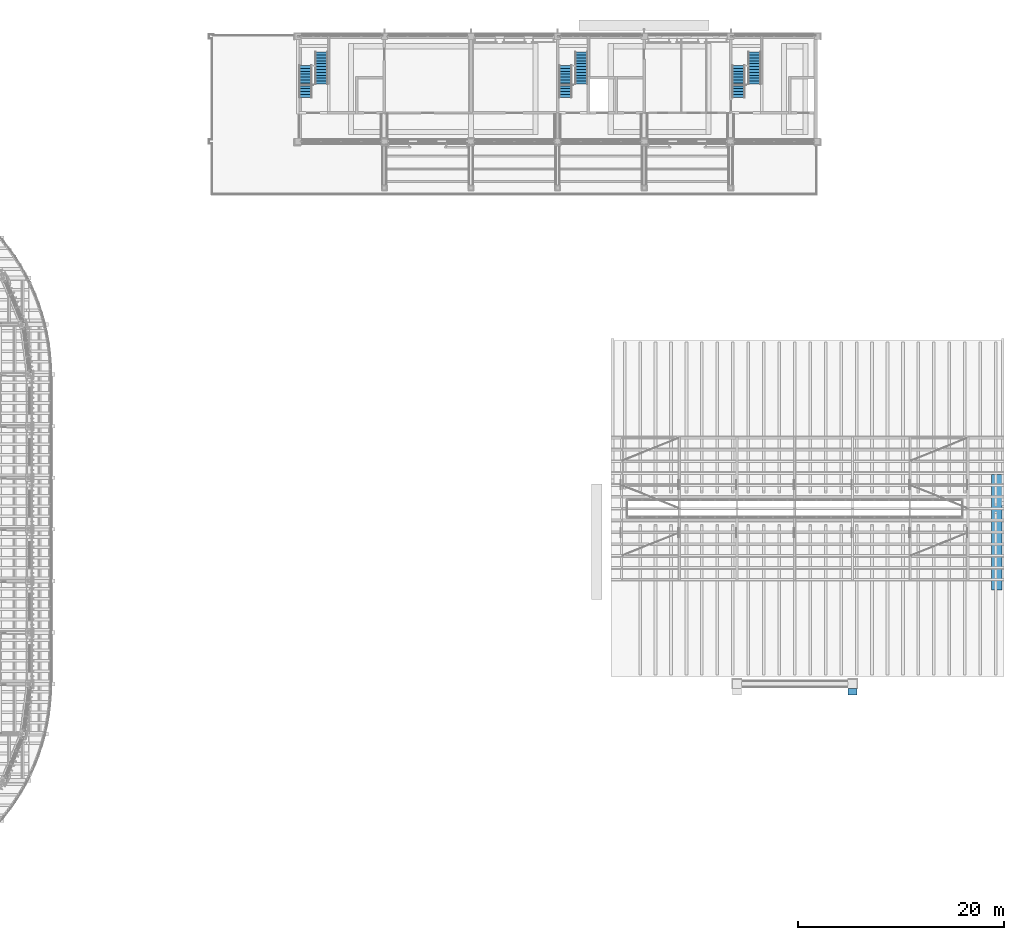
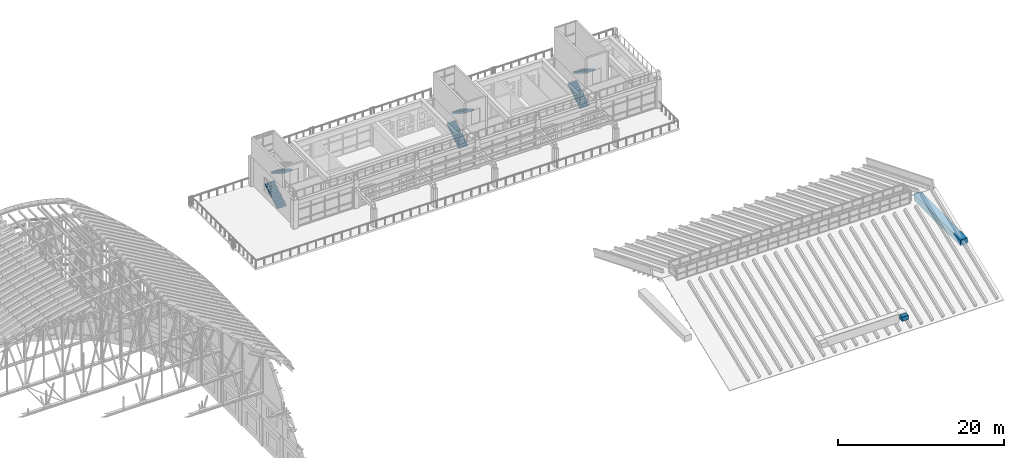
# One storey, part 60 of 105: 6 stair flights, 2 walls, 3 elements without a shape of their own.
"""IFC4 building model written with IfcOpenShell, lengths in metres."""

import ifcopenshell
import ifcopenshell.guid

model = None  # the IFC model being written
_history = None  # IfcOwnerHistory: only IFC2X3 demands one
_inside = {}  # id of a spatial element -> (the spatial element, [elements in it])
_under = {}  # id of a project, library or spatial element -> (it, [spatial elements below it])
_declared = {}  # id of a project -> (the project, [libraries it declares])
_typed = {}  # id of a type object -> (the type object, [elements of that type])
_made_of = {}  # id of a material, layer set ... -> (it, [elements and type objects made of it])


def new_model(schema):
    """Start an empty IFC model of exactly this schema.

    Asked for "IFC4X3", IfcOpenShell would pick the latest addendum, in which some entities
    have other attributes; the version numbers below select the first issue.
    IFC2X3 requires an IfcOwnerHistory on every rooted entity: one is made here for all.
    """
    global model, _history
    if schema == "IFC4X3":
        model = ifcopenshell.file(schema_version=(4, 3, 0, 0))
    else:
        model = ifcopenshell.file(schema=schema)
    _inside.clear()
    _under.clear()
    _declared.clear()
    _typed.clear()
    _made_of.clear()
    _history = None
    if model.schema == "IFC2X3":
        org = make("IfcOrganization", Name="unknown")
        user = make(
            "IfcPersonAndOrganization",
            ThePerson=make("IfcPerson", FamilyName="unknown"),
            TheOrganization=org,
        )
        app = make(
            "IfcApplication",
            ApplicationDeveloper=org,
            Version="unknown",
            ApplicationFullName="unknown",
            ApplicationIdentifier="unknown",
        )
        _history = make(
            "IfcOwnerHistory",
            OwningUser=user,
            OwningApplication=app,
            ChangeAction="ADDED",
            CreationDate=0,
        )
    return model


def make(cls, **values):
    """One entity of the class cls with the attributes given. An attribute that is None is left unset."""
    return model.create_entity(
        cls, **{name: value for name, value in values.items() if value is not None}
    )


def rooted(cls, **values):
    """An entity with a GlobalId (a new one), such as an element, a storey or a relation."""
    return make(cls, GlobalId=ifcopenshell.guid.new(), OwnerHistory=_history, **values)


def si_unit(unit_type, name, prefix=None):
    """IfcSIUnit, for example si_unit("LENGTHUNIT", "METRE", prefix="MILLI")."""
    return make("IfcSIUnit", UnitType=unit_type, Prefix=prefix, Name=name)


def assignment(units):
    """IfcUnitAssignment: the units of a project."""
    return None if units is None else make("IfcUnitAssignment", Units=units)


def point(xyz):
    """IfcCartesianPoint."""
    return None if xyz is None else make("IfcCartesianPoint", Coordinates=xyz)


def direction(xyz):
    """IfcDirection."""
    return None if xyz is None else make("IfcDirection", DirectionRatios=xyz)


def frame(location, z_axis=None, x_axis=None):
    """IfcAxis2Placement3D, a coordinate frame: its origin and axes. An axis left out is left unset."""
    return make(
        "IfcAxis2Placement3D",
        Location=point(location),
        Axis=direction(z_axis),
        RefDirection=direction(x_axis),
    )


def frame_2d(location, x_axis=None):
    """IfcAxis2Placement2D, a coordinate frame in the plane: its origin and x axis."""
    return make(
        "IfcAxis2Placement2D", Location=point(location), RefDirection=direction(x_axis)
    )


def origin():
    """The frame at (0, 0, 0) with its axes left unset."""
    return frame((0.0, 0.0, 0.0))


def place(relative_to, where):
    """IfcLocalPlacement: puts the frame where relative to a parent placement (None: the world)."""
    return make(
        "IfcLocalPlacement", PlacementRelTo=relative_to, RelativePlacement=where
    )


def context(
    kind, dimensions, precision=None, world=None, true_north=None, identifier=None
):
    """IfcGeometricRepresentationContext, for example the 3D "Model" context."""
    return make(
        "IfcGeometricRepresentationContext",
        ContextIdentifier=identifier,
        ContextType=kind,
        CoordinateSpaceDimension=dimensions,
        Precision=precision,
        WorldCoordinateSystem=world,
        TrueNorth=true_north,
    )


def subcontext(parent, identifier, kind, view, scale=None):
    """IfcGeometricRepresentationSubContext, for example "Body" below "Model"."""
    return make(
        "IfcGeometricRepresentationSubContext",
        ContextIdentifier=identifier,
        ContextType=kind,
        ParentContext=parent,
        TargetScale=scale,
        TargetView=view,
    )


def project(units=None, contexts=None):
    """IfcProject with its units and contexts."""
    return rooted(
        "IfcProject",
        Name="project",
        RepresentationContexts=contexts,
        UnitsInContext=assignment(units),
    )


def spatial(cls, under=None, at=None, **own):
    """A site, building, storey or space (cls), placed at a placement, below another one or the project."""
    s = rooted(cls, ObjectPlacement=at, **own)
    if under is not None:
        _under.setdefault(under.id(), (under, []))[1].append(s)
    return s


def polyline(points):
    """IfcPolyline through the points."""
    return make("IfcPolyline", Points=[point(p) for p in points])


def profile(cls, at=None, kind="AREA", **sizes):
    """A parametric profile (cls). Its sizes go by their IFC names, for example OverallWidth=200.0."""
    return make(cls, ProfileType=kind, Position=at, **sizes)


def rectangle(**sizes):
    """IfcRectangleProfileDef."""
    return profile("IfcRectangleProfileDef", **sizes)


def outline(outer, holes=None, kind="AREA"):
    """IfcArbitraryClosedProfileDef: a profile drawn as a closed curve; with holes, ...WithVoids."""
    if holes is None:
        return make("IfcArbitraryClosedProfileDef", ProfileType=kind, OuterCurve=outer)
    return make(
        "IfcArbitraryProfileDefWithVoids",
        ProfileType=kind,
        OuterCurve=outer,
        InnerCurves=holes,
    )


def extrude(swept, where, along, depth):
    """IfcExtrudedAreaSolid: the profile swept, set in the frame where, extruded along a direction by depth."""
    return make(
        "IfcExtrudedAreaSolid",
        SweptArea=swept,
        Position=where,
        ExtrudedDirection=direction(along),
        Depth=depth,
    )


def shape(context_of_items, identifier, shape_type, items):
    """IfcShapeRepresentation: the items that make up one representation, for example the "Body"."""
    return make(
        "IfcShapeRepresentation",
        ContextOfItems=context_of_items,
        RepresentationIdentifier=identifier,
        RepresentationType=shape_type,
        Items=items,
    )


def material(Name=None, Category=None):
    """IfcMaterial."""
    return make("IfcMaterial", Name=Name, Category=Category)


def layer(
    of_material, thickness, ventilated=None, Name=None, Category=None, Priority=None
):
    """IfcMaterialLayer: one layer of a wall or slab, of a material (None: an air gap)."""
    return make(
        "IfcMaterialLayer",
        Material=of_material,
        LayerThickness=thickness,
        IsVentilated=ventilated,
        Name=Name,
        Category=Category,
        Priority=Priority,
    )


def layer_set(layers, Name=None):
    """IfcMaterialLayerSet."""
    return make("IfcMaterialLayerSet", MaterialLayers=layers, LayerSetName=Name)


def made_of(thing, what):
    """Note that an element or type object is made of a material, layer set ...; save() writes the relation."""
    if what is not None:
        _made_of.setdefault(what.id(), (what, []))[1].append(thing)
    return thing


def type_object(cls, material=None, **own):
    """A type object (cls), such as IfcWallType, which elements share."""
    return made_of(rooted(cls, **own), material)


def element(
    cls,
    number,
    at=None,
    inside=None,
    cuts=None,
    type_object=None,
    material=None,
    context=None,
    identifier="Body",
    shape_type=None,
    held_by="IfcProductDefinitionShape",
    body=None,
    shapes=None,
    **own,
):
    """One element of the class cls, such as IfcWall. Its Tag is "e" and its number.

    at: its placement. inside: the storey or other place that contains it. cuts: it is an
    opening in that element (IfcRelVoidsElement). A single representation is given by context,
    identifier, shape_type and body (its items); several are given by shapes. held_by: the class
    of the entity that holds the representations. save() writes the other relations.
    """
    e = rooted(cls, Tag="e%d" % number, ObjectPlacement=at, **own)
    if body is not None:
        shapes = [shape(context, identifier, shape_type, body)]
    if shapes is not None:
        e.Representation = make(held_by, Representations=shapes)
    if inside is not None:
        _inside.setdefault(inside.id(), (inside, []))[1].append(e)
    if cuts is not None:
        rooted(
            "IfcRelVoidsElement", RelatingBuildingElement=cuts, RelatedOpeningElement=e
        )
    if type_object is not None:
        _typed.setdefault(type_object.id(), (type_object, []))[1].append(e)
    return made_of(e, material)


def aggregate(whole, parts):
    """IfcRelAggregates: a whole, such as a stair, and the parts it consists of."""
    return rooted("IfcRelAggregates", RelatingObject=whole, RelatedObjects=parts)


def save(model, path):
    """Write the relations noted so far, then the file.

    IfcRelAggregates (storeys below a building ...), IfcRelContainedInSpatialStructure (elements
    in a storey), IfcRelDefinesByType, IfcRelAssociatesMaterial and IfcRelDeclares: one each for
    every whole, place, type object, material and project.
    """
    for whole, parts in _under.values():
        aggregate(whole, parts)
    for where, things in _inside.values():
        rooted(
            "IfcRelContainedInSpatialStructure",
            RelatedElements=things,
            RelatingStructure=where,
        )
    for kind, things in _typed.values():
        rooted("IfcRelDefinesByType", RelatedObjects=things, RelatingType=kind)
    for what, things in _made_of.values():
        rooted("IfcRelAssociatesMaterial", RelatedObjects=things, RelatingMaterial=what)
    for by, libraries in _declared.values():
        rooted("IfcRelDeclares", RelatingContext=by, RelatedDefinitions=libraries)
    model.write(path)


model = new_model("IFC4")

# Units and contexts
model_context = context("Model", 3, precision=1e-05, world=origin(), true_north=direction((0.0, 1.0)))
body_context = subcontext(model_context, "Body", "Model", "MODEL_VIEW")
ifc_project = project(units=[si_unit("LENGTHUNIT", "METRE"), si_unit("AREAUNIT", "SQUARE_METRE"), si_unit("VOLUMEUNIT", "CUBIC_METRE"), si_unit("PLANEANGLEUNIT", "RADIAN"), si_unit("MASSUNIT", "GRAM", prefix="KILO")], contexts=[model_context])

# Site, building, storey
site_placement = place(None, origin())
site = spatial("IfcSite", under=ifc_project, at=site_placement, CompositionType="ELEMENT")
building_placement = place(site_placement, origin())
building = spatial("IfcBuilding", under=site, at=building_placement, Name="Wasatch Bagh Community Centre", CompositionType="ELEMENT")
storey_placement = place(building_placement, frame((0.0, 0.0, 16.800048828125)))
storey = spatial("IfcBuildingStorey", under=building, at=storey_placement, Name="L04", CompositionType="ELEMENT", Elevation=16.800048828125)

# Walls
ifc_material_1 = material(Name="Concrete C40", Category="concrete")
ifc_layer_1 = layer(ifc_material_1, 0.60009765625)
ifc_layer_set_1 = layer_set([ifc_layer_1], Name="Concrete C40")
wall_type_1 = type_object("IfcWallType", Name="CL-W4", PredefinedType="STANDARD", material=ifc_layer_set_1)
wall_1_placement = place(storey_placement, frame((134.14990234375, 34.25, 0.0), z_axis=(0.0, 0.0, 1.0), x_axis=(1.0, 0.0, 0.0)))
element("IfcWall", 1, at=wall_1_placement, inside=storey, type_object=wall_type_1, Name="CL-W4 pier buttress SHP2", PredefinedType="STANDARD", context=body_context, shape_type="SweptSolid", body=[
    extrude(rectangle(XDim=0.900146484375, YDim=0.60009765625, at=frame_2d((0.4501953125, 0.0))), origin(), (0.0, 0.0, 1.0), 0.599853515625),
])
ifc_layer_2 = layer(ifc_material_1, 1.0)
ifc_layer_set_2 = layer_set([ifc_layer_2], Name="Concrete C40")
wall_type_2 = type_object("IfcWallType", Name="SHEQ-W4", PredefinedType="STANDARD", material=ifc_layer_set_2)
wall_2_placement = place(storey_placement, frame((148.60009765625, 55.300048828125, 0.0), z_axis=(0.0, 0.0, 1.0), x_axis=(0.0, -1.0, 0.0)))
element("IfcWall", 2, at=wall_2_placement, inside=storey, type_object=wall_type_2, Name="SHEQ-W4 iwan cornice band", PredefinedType="STANDARD", context=body_context, shape_type="SweptSolid", body=[
    extrude(rectangle(XDim=11.199951171875, YDim=1.0, at=frame_2d((5.60009765625, 0.0))), origin(), (0.0, 0.0, 1.0), 0.89990234375),
])

# Stair, stair flights
ifc_material_2 = material(Name="Concrete C35", Category="concrete")
stair_type = type_object("IfcStairType", Name="LW core stair", PredefinedType="HALF_TURN_STAIR", material=ifc_material_2)
stair_1_placement = place(storey_placement, origin())
stair_1 = element("IfcStair", 3, at=stair_1_placement, inside=storey, type_object=stair_type, Name="Stair Stair and Lift C1", PredefinedType="HALF_TURN_STAIR")
stair_flight_type = type_object("IfcStairFlightType", Name="LW stair flight 1260", PredefinedType="STRAIGHT", material=ifc_material_2)
stair_flight_1_placement = place(storey_placement, frame((81.554931640625, 91.89990234375, 0.0), z_axis=(0.0, 0.0, 1.0), x_axis=(0.0, 1.0, 0.0)))
stair_flight_1 = element("IfcStairFlight", 4, at=stair_flight_1_placement, type_object=stair_flight_type, Name="ST-C1-4 flight 1", NumberOfRisers=12, NumberOfTreads=11, PredefinedType="STRAIGHT", RiserHeight=0.175, TreadLength=0.28, context=body_context, shape_type="SweptSolid", body=[
    extrude(outline(polyline([(0.0, 0.0), (0.0, 0.175048828125), (0.280029296875, 0.175048828125), (0.280029296875, 0.35009765625), (0.56005859375, 0.35009765625), (0.56005859375, 0.52490234375), (0.840087890625, 0.52490234375), (0.840087890625, 0.699951171875), (1.1201171875, 0.699951171875), (1.1201171875, 0.875), (1.39990234375, 0.875), (1.39990234375, 1.050048828125), (1.679931640625, 1.050048828125), (1.679931640625, 1.22509765625), (1.9599609375, 1.22509765625), (1.9599609375, 1.39990234375), (2.239990234375, 1.39990234375), (2.239990234375, 1.574951171875), (2.52001953125, 1.574951171875), (2.52001953125, 1.75), (2.800048828125, 1.75), (2.800048828125, 1.925048828125), (3.080078125, 1.925048828125), (3.080078125, 2.10009765625), (3.080078125, 1.748291015625), (0.28271484375, 0.0), (0.0, 0.0)])), frame((0.0, 0.6298828125, 0.0), z_axis=(0.0, -1.0, 0.0), x_axis=(1.0, 0.0, 0.0)), (0.0, 0.0, 1.0), 1.260009765625),
])
stair_flight_2_placement = place(storey_placement, frame((83.094970703125, 96.280029296875, 2.099853515625), z_axis=(0.0, 0.0, 1.0), x_axis=(0.0, -1.0, 0.0)))
stair_flight_2 = element("IfcStairFlight", 5, at=stair_flight_2_placement, type_object=stair_flight_type, Name="ST-C1-4 flight 2", NumberOfRisers=12, NumberOfTreads=11, PredefinedType="STRAIGHT", RiserHeight=0.175, TreadLength=0.28, context=body_context, shape_type="SweptSolid", body=[
    extrude(outline(polyline([(0.0, 0.0), (0.0, 0.175048828125), (0.280029296875, 0.175048828125), (0.280029296875, 0.35009765625), (0.56005859375, 0.35009765625), (0.56005859375, 0.52490234375), (0.840087890625, 0.52490234375), (0.840087890625, 0.699951171875), (1.1201171875, 0.699951171875), (1.1201171875, 0.875), (1.39990234375, 0.875), (1.39990234375, 1.050048828125), (1.679931640625, 1.050048828125), (1.679931640625, 1.22509765625), (1.9599609375, 1.22509765625), (1.9599609375, 1.39990234375), (2.239990234375, 1.39990234375), (2.239990234375, 1.574951171875), (2.52001953125, 1.574951171875), (2.52001953125, 1.75), (2.800048828125, 1.75), (2.800048828125, 1.925048828125), (3.080078125, 1.925048828125), (3.080078125, 2.10009765625), (3.080078125, 1.748291015625), (0.28271484375, 0.0), (0.0, 0.0)])), frame((0.0, 0.6298828125, 0.0), z_axis=(0.0, -1.0, 0.0), x_axis=(1.0, 0.0, 0.0)), (0.0, 0.0, 1.0), 1.260009765625),
])
aggregate(stair_1, [stair_flight_1, stair_flight_2])

stair_2_placement = place(storey_placement, origin())
stair_2 = element("IfcStair", 6, at=stair_2_placement, inside=storey, type_object=stair_type, Name="Stair Stair and Lift C2", PredefinedType="HALF_TURN_STAIR")
stair_flight_3_placement = place(storey_placement, frame((106.7548828125, 91.89990234375, 0.0), z_axis=(0.0, 0.0, 1.0), x_axis=(0.0, 1.0, 0.0)))
stair_flight_3 = element("IfcStairFlight", 7, at=stair_flight_3_placement, type_object=stair_flight_type, Name="ST-C2-4 flight 1", NumberOfRisers=12, NumberOfTreads=11, PredefinedType="STRAIGHT", RiserHeight=0.175, TreadLength=0.28, context=body_context, shape_type="SweptSolid", body=[
    extrude(outline(polyline([(0.0, 0.0), (0.0, 0.175048828125), (0.280029296875, 0.175048828125), (0.280029296875, 0.35009765625), (0.56005859375, 0.35009765625), (0.56005859375, 0.52490234375), (0.840087890625, 0.52490234375), (0.840087890625, 0.699951171875), (1.1201171875, 0.699951171875), (1.1201171875, 0.875), (1.39990234375, 0.875), (1.39990234375, 1.050048828125), (1.679931640625, 1.050048828125), (1.679931640625, 1.22509765625), (1.9599609375, 1.22509765625), (1.9599609375, 1.39990234375), (2.239990234375, 1.39990234375), (2.239990234375, 1.574951171875), (2.52001953125, 1.574951171875), (2.52001953125, 1.75), (2.800048828125, 1.75), (2.800048828125, 1.925048828125), (3.080078125, 1.925048828125), (3.080078125, 2.10009765625), (3.080078125, 1.748291015625), (0.28271484375, 0.0), (0.0, 0.0)])), frame((0.0, 0.6298828125, 0.0), z_axis=(0.0, -1.0, 0.0), x_axis=(1.0, 0.0, 0.0)), (0.0, 0.0, 1.0), 1.260009765625),
])
stair_flight_4_placement = place(storey_placement, frame((108.294921875, 96.280029296875, 2.099853515625), z_axis=(0.0, 0.0, 1.0), x_axis=(0.0, -1.0, 0.0)))
stair_flight_4 = element("IfcStairFlight", 8, at=stair_flight_4_placement, type_object=stair_flight_type, Name="ST-C2-4 flight 2", NumberOfRisers=12, NumberOfTreads=11, PredefinedType="STRAIGHT", RiserHeight=0.175, TreadLength=0.28, context=body_context, shape_type="SweptSolid", body=[
    extrude(outline(polyline([(0.0, 0.0), (0.0, 0.175048828125), (0.280029296875, 0.175048828125), (0.280029296875, 0.35009765625), (0.56005859375, 0.35009765625), (0.56005859375, 0.52490234375), (0.840087890625, 0.52490234375), (0.840087890625, 0.699951171875), (1.1201171875, 0.699951171875), (1.1201171875, 0.875), (1.39990234375, 0.875), (1.39990234375, 1.050048828125), (1.679931640625, 1.050048828125), (1.679931640625, 1.22509765625), (1.9599609375, 1.22509765625), (1.9599609375, 1.39990234375), (2.239990234375, 1.39990234375), (2.239990234375, 1.574951171875), (2.52001953125, 1.574951171875), (2.52001953125, 1.75), (2.800048828125, 1.75), (2.800048828125, 1.925048828125), (3.080078125, 1.925048828125), (3.080078125, 2.10009765625), (3.080078125, 1.748291015625), (0.28271484375, 0.0), (0.0, 0.0)])), frame((0.0, 0.6298828125, 0.0), z_axis=(0.0, -1.0, 0.0), x_axis=(1.0, 0.0, 0.0)), (0.0, 0.0, 1.0), 1.260009765625),
])
aggregate(stair_2, [stair_flight_3, stair_flight_4])

stair_3_placement = place(storey_placement, origin())
stair_3 = element("IfcStair", 9, at=stair_3_placement, inside=storey, type_object=stair_type, Name="Stair Stair and Lift C3", PredefinedType="HALF_TURN_STAIR")
stair_flight_5_placement = place(storey_placement, frame((123.554931640625, 91.89990234375, 0.0), z_axis=(0.0, 0.0, 1.0), x_axis=(0.0, 1.0, 0.0)))
stair_flight_5 = element("IfcStairFlight", 10, at=stair_flight_5_placement, type_object=stair_flight_type, Name="ST-C3-4 flight 1", NumberOfRisers=12, NumberOfTreads=11, PredefinedType="STRAIGHT", RiserHeight=0.175, TreadLength=0.28, context=body_context, shape_type="SweptSolid", body=[
    extrude(outline(polyline([(0.0, 0.0), (0.0, 0.175048828125), (0.280029296875, 0.175048828125), (0.280029296875, 0.35009765625), (0.56005859375, 0.35009765625), (0.56005859375, 0.52490234375), (0.840087890625, 0.52490234375), (0.840087890625, 0.699951171875), (1.1201171875, 0.699951171875), (1.1201171875, 0.875), (1.39990234375, 0.875), (1.39990234375, 1.050048828125), (1.679931640625, 1.050048828125), (1.679931640625, 1.22509765625), (1.9599609375, 1.22509765625), (1.9599609375, 1.39990234375), (2.239990234375, 1.39990234375), (2.239990234375, 1.574951171875), (2.52001953125, 1.574951171875), (2.52001953125, 1.75), (2.800048828125, 1.75), (2.800048828125, 1.925048828125), (3.080078125, 1.925048828125), (3.080078125, 2.10009765625), (3.080078125, 1.748291015625), (0.28271484375, 0.0), (0.0, 0.0)])), frame((0.0, 0.6298828125, 0.0), z_axis=(0.0, -1.0, 0.0), x_axis=(1.0, 0.0, 0.0)), (0.0, 0.0, 1.0), 1.260009765625),
])
stair_flight_6_placement = place(storey_placement, frame((125.094970703125, 96.280029296875, 2.099853515625), z_axis=(0.0, 0.0, 1.0), x_axis=(0.0, -1.0, 0.0)))
stair_flight_6 = element("IfcStairFlight", 11, at=stair_flight_6_placement, type_object=stair_flight_type, Name="ST-C3-4 flight 2", NumberOfRisers=12, NumberOfTreads=11, PredefinedType="STRAIGHT", RiserHeight=0.175, TreadLength=0.28, context=body_context, shape_type="SweptSolid", body=[
    extrude(outline(polyline([(0.0, 0.0), (0.0, 0.175048828125), (0.280029296875, 0.175048828125), (0.280029296875, 0.35009765625), (0.56005859375, 0.35009765625), (0.56005859375, 0.52490234375), (0.840087890625, 0.52490234375), (0.840087890625, 0.699951171875), (1.1201171875, 0.699951171875), (1.1201171875, 0.875), (1.39990234375, 0.875), (1.39990234375, 1.050048828125), (1.679931640625, 1.050048828125), (1.679931640625, 1.22509765625), (1.9599609375, 1.22509765625), (1.9599609375, 1.39990234375), (2.239990234375, 1.39990234375), (2.239990234375, 1.574951171875), (2.52001953125, 1.574951171875), (2.52001953125, 1.75), (2.800048828125, 1.75), (2.800048828125, 1.925048828125), (3.080078125, 1.925048828125), (3.080078125, 2.10009765625), (3.080078125, 1.748291015625), (0.28271484375, 0.0), (0.0, 0.0)])), frame((0.0, 0.6298828125, 0.0), z_axis=(0.0, -1.0, 0.0), x_axis=(1.0, 0.0, 0.0)), (0.0, 0.0, 1.0), 1.260009765625),
])
aggregate(stair_3, [stair_flight_5, stair_flight_6])

save(model, "model.ifc")
